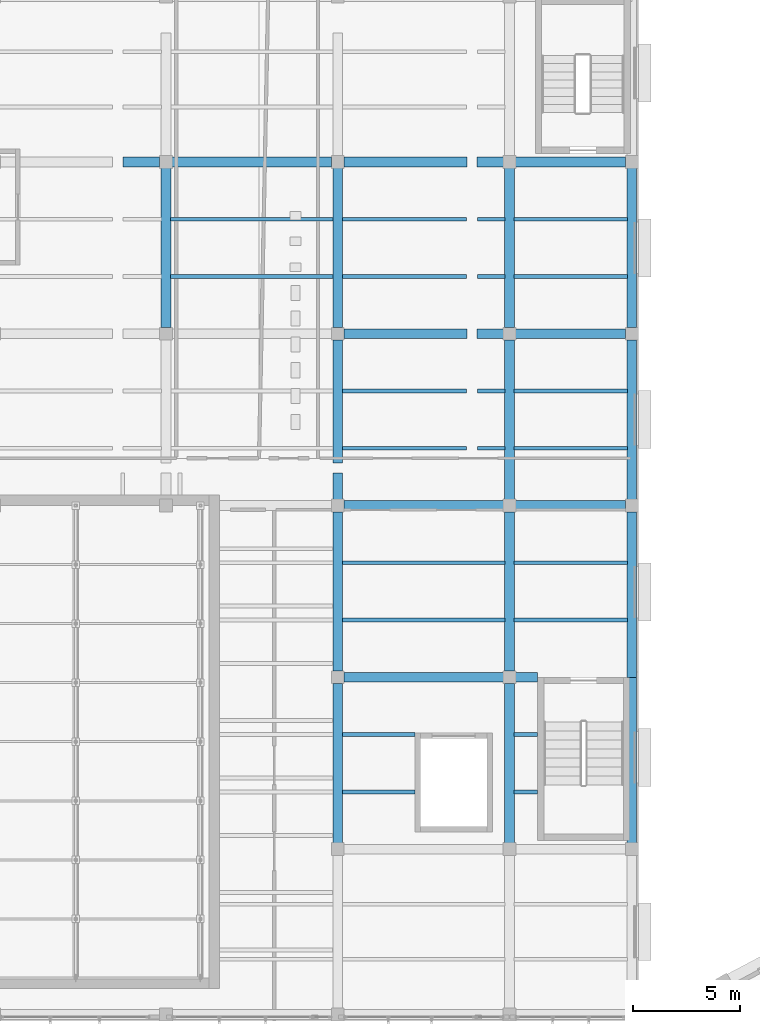
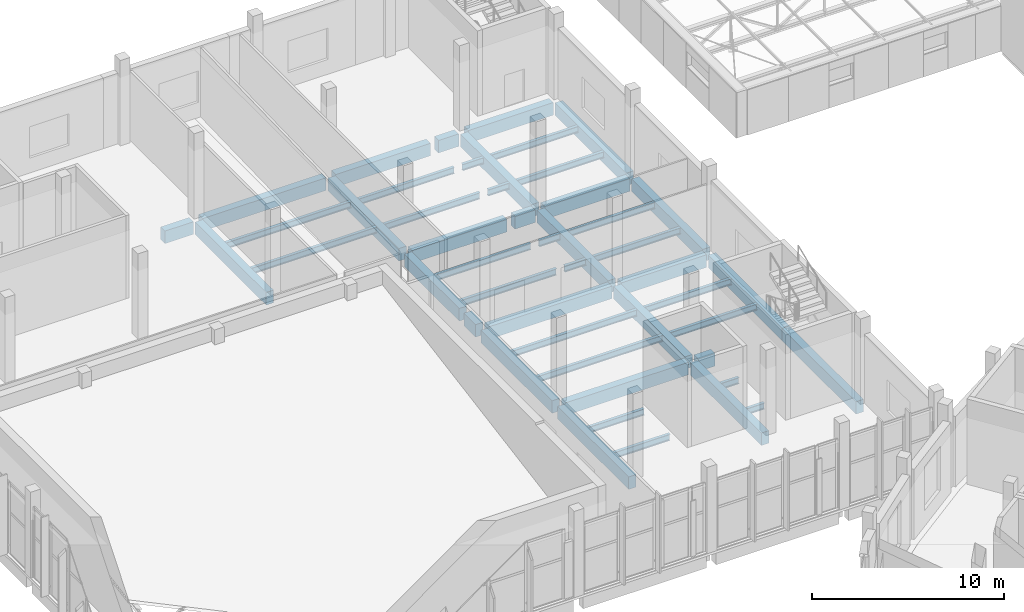
# One storey, part 24 of 132: 48 beams.
"""IFC4 building model written with IfcOpenShell, lengths in metres."""

from ifc_helpers import new_model, si_unit, direction, frame, origin, origin_2d, place, context, subcontext, project, spatial, rectangle, i_section, extrude, material, material_profile, profile_set, type_object, element, save


model = new_model("IFC4")

# Units and contexts
model_context = context("Model", 3, precision=1e-05, world=origin(), true_north=direction((0.0, 1.0)))
body_context = subcontext(model_context, "Body", "Model", "MODEL_VIEW")
ifc_project = project(units=[si_unit("LENGTHUNIT", "METRE"), si_unit("AREAUNIT", "SQUARE_METRE"), si_unit("VOLUMEUNIT", "CUBIC_METRE"), si_unit("PLANEANGLEUNIT", "RADIAN"), si_unit("MASSUNIT", "GRAM", prefix="KILO")], contexts=[model_context])

# Site, building, storey
site_placement = place(None, origin())
site = spatial("IfcSite", under=ifc_project, at=site_placement, CompositionType="ELEMENT")
building_placement = place(site_placement, origin())
building = spatial("IfcBuilding", under=site, at=building_placement, Name="Lunette Opera House", CompositionType="ELEMENT")
storey_placement = place(building_placement, frame((0.0, 0.0, 17.0)))
storey = spatial("IfcBuildingStorey", under=building, at=storey_placement, Name="L03", CompositionType="ELEMENT", Elevation=17.0)

# Beams
ifc_material_1 = material(Name="Concrete C35/45", Category="concrete")
ifc_material_profile_1 = material_profile(ifc_material_1, rectangle(XDim=0.449951171875, YDim=0.800048828125, at=origin_2d()), Name="RC BEAM 450X800")
ifc_profile_set_1 = profile_set([ifc_material_profile_1], Name="Concrete C35/45")
beam_type_1 = type_object("IfcBeamType", Name="RC BEAM 450X800", PredefinedType="BEAM", material=ifc_profile_set_1)
for number, where, z_axis, x_axis, name in (
    (1, (32.0, 96.2900390625, -0.550048828125), (0.0, 1.0, 0.0), (-1.0, 0.0, 0.0), "beam-RW-L03-L03-GY34"),
    (2, (40.0, 72.2900390625, -0.550048828125), (0.0, 1.0, 0.0), (-1.0, 0.0, 0.0), "beam-RW-L03-L03-GY41"),
    (3, (40.0, 80.2900390625, -0.550048828125), (0.0, 1.0, 0.0), (-1.0, 0.0, 0.0), "beam-RW-L03-L03-GY42"),
):
    element("IfcBeam", number, at=place(storey_placement, frame(where, z_axis=z_axis, x_axis=x_axis)), inside=storey, type_object=beam_type_1, Name=name, PredefinedType="BEAM", context=body_context, shape_type="SweptSolid", body=[
        extrude(rectangle(XDim=0.449951171875, YDim=0.800048828125, at=origin_2d()), origin(), (0.0, 0.0, 1.0), 7.419921875),
    ])
beam_1_placement = place(storey_placement, frame((40.0, 88.2900390625, -0.550048828125), z_axis=(0.0, 1.0, 0.0), x_axis=(-1.0, 0.0, 0.0)))
element("IfcBeam", 4, at=beam_1_placement, inside=storey, type_object=beam_type_1, Name="beam-RW-L03-L03-GY43", PredefinedType="BEAM", context=body_context, shape_type="SweptSolid", body=[
    extrude(rectangle(XDim=0.449951171875, YDim=0.800048828125, at=origin_2d()), origin(), (0.0, 0.0, 1.0), 1.219970703125),
])
beam_2_placement = place(storey_placement, frame((40.0, 89.989990234375, -0.550048828125), z_axis=(0.0, 1.0, 0.0), x_axis=(-1.0, 0.0, 0.0)))
element("IfcBeam", 5, at=beam_2_placement, inside=storey, type_object=beam_type_1, Name="beam-RW-L03-L03-GY43-1", PredefinedType="BEAM", context=body_context, shape_type="SweptSolid", body=[
    extrude(rectangle(XDim=0.449951171875, YDim=0.800048828125, at=origin_2d()), origin(), (0.0, 0.0, 1.0), 5.719970703125),
])
for number, where, z_axis, x_axis, name in (
    (6, (40.0, 96.2900390625, -0.550048828125), (0.0, 1.0, 0.0), (-1.0, 0.0, 0.0), "beam-RW-L03-L03-GY44"),
    (7, (48.0, 72.2900390625, -0.550048828125), (0.0, 1.0, 0.0), (-1.0, 0.0, 0.0), "beam-RW-L03-L03-GY51"),
    (8, (48.0, 80.2900390625, -0.550048828125), (0.0, 1.0, 0.0), (-1.0, 0.0, 0.0), "beam-RW-L03-L03-GY52"),
    (9, (48.0, 88.2900390625, -0.550048828125), (0.0, 1.0, 0.0), (-1.0, 0.0, 0.0), "beam-RW-L03-L03-GY53"),
    (10, (48.0, 96.2900390625, -0.550048828125), (0.0, 1.0, 0.0), (-1.0, 0.0, 0.0), "beam-RW-L03-L03-GY54"),
):
    element("IfcBeam", number, at=place(storey_placement, frame(where, z_axis=z_axis, x_axis=x_axis)), inside=storey, type_object=beam_type_1, Name=name, PredefinedType="BEAM", context=body_context, shape_type="SweptSolid", body=[
        extrude(rectangle(XDim=0.449951171875, YDim=0.800048828125, at=origin_2d()), origin(), (0.0, 0.0, 1.0), 7.419921875),
    ])
for number, where, z_axis, x_axis, name in (
    (11, (53.699951171875, 72.2900390625, -0.550048828125), (0.0, 1.0, 0.0), (-1.0, 0.0, 0.0), "beam-RW-L03-L03-GY61"),
    (12, (53.699951171875, 80.0, -0.550048828125), (0.0, 1.0, 0.0), (-1.0, 0.0, 0.0), "beam-RW-L03-L03-GY62"),
):
    element("IfcBeam", number, at=place(storey_placement, frame(where, z_axis=z_axis, x_axis=x_axis)), inside=storey, type_object=beam_type_1, Name=name, PredefinedType="BEAM", context=body_context, shape_type="SweptSolid", body=[
        extrude(rectangle(XDim=0.449951171875, YDim=0.800048828125, at=origin_2d()), origin(), (0.0, 0.0, 1.0), 7.7099609375),
    ])
for number, where, z_axis, x_axis, name in (
    (13, (53.699951171875, 88.2900390625, -0.550048828125), (0.0, 1.0, 0.0), (-1.0, 0.0, 0.0), "beam-RW-L03-L03-GY63"),
    (14, (53.699951171875, 96.2900390625, -0.550048828125), (0.0, 1.0, 0.0), (-1.0, 0.0, 0.0), "beam-RW-L03-L03-GY64"),
    (15, (40.2900390625, 80.0, -0.550048828125), (1.0, 0.0, 0.0), (0.0, 1.0, 0.0), "beam-RW-L03-L03-GX42"),
):
    element("IfcBeam", number, at=place(storey_placement, frame(where, z_axis=z_axis, x_axis=x_axis)), inside=storey, type_object=beam_type_1, Name=name, PredefinedType="BEAM", context=body_context, shape_type="SweptSolid", body=[
        extrude(rectangle(XDim=0.449951171875, YDim=0.800048828125, at=origin_2d()), origin(), (0.0, 0.0, 1.0), 7.419921875),
    ])
beam_3_placement = place(storey_placement, frame((48.2900390625, 80.0, -0.550048828125), z_axis=(1.0, 0.0, 0.0), x_axis=(0.0, 1.0, 0.0)))
element("IfcBeam", 16, at=beam_3_placement, inside=storey, type_object=beam_type_1, Name="beam-RW-L03-L03-GX52", PredefinedType="BEAM", context=body_context, shape_type="SweptSolid", body=[
    extrude(rectangle(XDim=0.449951171875, YDim=0.800048828125, at=origin_2d()), origin(), (0.0, 0.0, 1.0), 1.02001953125),
])
beam_4_placement = place(storey_placement, frame((40.2900390625, 88.0, -0.550048828125), z_axis=(1.0, 0.0, 0.0), x_axis=(0.0, 1.0, 0.0)))
element("IfcBeam", 17, at=beam_4_placement, inside=storey, type_object=beam_type_1, Name="beam-RW-L03-L03-GX43", PredefinedType="BEAM", context=body_context, shape_type="SweptSolid", body=[
    extrude(rectangle(XDim=0.449951171875, YDim=0.800048828125, at=origin_2d()), origin(), (0.0, 0.0, 1.0), 7.419921875),
])
beam_5_placement = place(storey_placement, frame((48.2900390625, 88.0, -0.550048828125), z_axis=(1.0, 0.0, 0.0), x_axis=(0.0, 1.0, 0.0)))
element("IfcBeam", 18, at=beam_5_placement, inside=storey, type_object=beam_type_1, Name="beam-RW-L03-L03-GX53", PredefinedType="BEAM", context=body_context, shape_type="SweptSolid", body=[
    extrude(rectangle(XDim=0.449951171875, YDim=0.800048828125, at=origin_2d()), origin(), (0.0, 0.0, 1.0), 5.119873046875),
])
beam_6_placement = place(storey_placement, frame((40.2900390625, 96.0, -0.550048828125), z_axis=(1.0, 0.0, 0.0), x_axis=(0.0, 1.0, 0.0)))
element("IfcBeam", 19, at=beam_6_placement, inside=storey, type_object=beam_type_1, Name="beam-RW-L03-L03-GX44", PredefinedType="BEAM", context=body_context, shape_type="SweptSolid", body=[
    extrude(rectangle(XDim=0.449951171875, YDim=0.800048828125, at=origin_2d()), origin(), (0.0, 0.0, 1.0), 5.719970703125),
])
beam_7_placement = place(storey_placement, frame((46.489990234375, 96.0, -0.550048828125), z_axis=(1.0, 0.0, 0.0), x_axis=(0.0, 1.0, 0.0)))
element("IfcBeam", 20, at=beam_7_placement, inside=storey, type_object=beam_type_1, Name="beam-RW-L03-L03-GX44-1", PredefinedType="BEAM", context=body_context, shape_type="SweptSolid", body=[
    extrude(rectangle(XDim=0.449951171875, YDim=0.800048828125, at=origin_2d()), origin(), (0.0, 0.0, 1.0), 1.219970703125),
])
beam_8_placement = place(storey_placement, frame((48.2900390625, 96.0, -0.550048828125), z_axis=(1.0, 0.0, 0.0), x_axis=(0.0, 1.0, 0.0)))
element("IfcBeam", 21, at=beam_8_placement, inside=storey, type_object=beam_type_1, Name="beam-RW-L03-L03-GX54", PredefinedType="BEAM", context=body_context, shape_type="SweptSolid", body=[
    extrude(rectangle(XDim=0.449951171875, YDim=0.800048828125, at=origin_2d()), origin(), (0.0, 0.0, 1.0), 5.119873046875),
])
beam_9_placement = place(storey_placement, frame((29.989990234375, 104.0, -0.550048828125), z_axis=(1.0, 0.0, 0.0), x_axis=(0.0, 1.0, 0.0)))
element("IfcBeam", 22, at=beam_9_placement, inside=storey, type_object=beam_type_1, Name="beam-RW-L03-L03-GX25-1", PredefinedType="BEAM", context=body_context, shape_type="SweptSolid", body=[
    extrude(rectangle(XDim=0.449951171875, YDim=0.800048828125, at=origin_2d()), origin(), (0.0, 0.0, 1.0), 1.719970703125),
])
beam_10_placement = place(storey_placement, frame((32.2900390625, 104.0, -0.550048828125), z_axis=(1.0, 0.0, 0.0), x_axis=(0.0, 1.0, 0.0)))
element("IfcBeam", 23, at=beam_10_placement, inside=storey, type_object=beam_type_1, Name="beam-RW-L03-L03-GX35", PredefinedType="BEAM", context=body_context, shape_type="SweptSolid", body=[
    extrude(rectangle(XDim=0.449951171875, YDim=0.800048828125, at=origin_2d()), origin(), (0.0, 0.0, 1.0), 7.419921875),
])
beam_11_placement = place(storey_placement, frame((40.2900390625, 104.0, -0.550048828125), z_axis=(1.0, 0.0, 0.0), x_axis=(0.0, 1.0, 0.0)))
element("IfcBeam", 24, at=beam_11_placement, inside=storey, type_object=beam_type_1, Name="beam-RW-L03-L03-GX45", PredefinedType="BEAM", context=body_context, shape_type="SweptSolid", body=[
    extrude(rectangle(XDim=0.449951171875, YDim=0.800048828125, at=origin_2d()), origin(), (0.0, 0.0, 1.0), 5.719970703125),
])
beam_12_placement = place(storey_placement, frame((46.489990234375, 104.0, -0.550048828125), z_axis=(1.0, 0.0, 0.0), x_axis=(0.0, 1.0, 0.0)))
element("IfcBeam", 25, at=beam_12_placement, inside=storey, type_object=beam_type_1, Name="beam-RW-L03-L03-GX45-1", PredefinedType="BEAM", context=body_context, shape_type="SweptSolid", body=[
    extrude(rectangle(XDim=0.449951171875, YDim=0.800048828125, at=origin_2d()), origin(), (0.0, 0.0, 1.0), 1.219970703125),
])
beam_13_placement = place(storey_placement, frame((48.2900390625, 104.0, -0.550048828125), z_axis=(1.0, 0.0, 0.0), x_axis=(0.0, 1.0, 0.0)))
element("IfcBeam", 26, at=beam_13_placement, inside=storey, type_object=beam_type_1, Name="beam-RW-L03-L03-GX55", PredefinedType="BEAM", context=body_context, shape_type="SweptSolid", body=[
    extrude(rectangle(XDim=0.449951171875, YDim=0.800048828125, at=origin_2d()), origin(), (0.0, 0.0, 1.0), 5.119873046875),
])
ifc_material_2 = material(Name="Steel S355", Category="steel")
ifc_material_profile_2 = material_profile(ifc_material_2, i_section(OverallWidth=0.179931640625, OverallDepth=0.39990234375, WebThickness=0.008544921875, FlangeThickness=0.013427734375, FilletRadius=0.02099609375, at=origin_2d()), Name="IPE 400")
ifc_profile_set_2 = profile_set([ifc_material_profile_2], Name="Steel S355")
beam_type_2 = type_object("IfcBeamType", Name="STEEL BEAM IPE 400", PredefinedType="BEAM", material=ifc_profile_set_2)
for number, where, z_axis, x_axis, name in (
    (27, (32.215087890625, 98.6669921875, -0.35009765625), (1.0, 0.0, 0.0), (0.0, 1.0, 0.0), "beam-RW-L03-L03-SX341"),
    (28, (32.215087890625, 101.3330078125, -0.35009765625), (1.0, 0.0, 0.0), (0.0, 1.0, 0.0), "beam-RW-L03-L03-SX342"),
):
    element("IfcBeam", number, at=place(storey_placement, frame(where, z_axis=z_axis, x_axis=x_axis)), inside=storey, type_object=beam_type_2, Name=name, PredefinedType="BEAM", context=body_context, shape_type="SweptSolid", body=[
        extrude(i_section(OverallWidth=0.179931640625, OverallDepth=0.39990234375, WebThickness=0.008544921875, FlangeThickness=0.013427734375, FilletRadius=0.02099609375, at=origin_2d()), origin(), (0.0, 0.0, 1.0), 7.56982421875),
    ])
for number, where, z_axis, x_axis, name in (
    (29, (40.215087890625, 74.6669921875, -0.35009765625), (1.0, 0.0, 0.0), (0.0, 1.0, 0.0), "beam-RW-L03-L03-SX411"),
    (30, (40.215087890625, 77.3330078125, -0.35009765625), (1.0, 0.0, 0.0), (0.0, 1.0, 0.0), "beam-RW-L03-L03-SX412"),
):
    element("IfcBeam", number, at=place(storey_placement, frame(where, z_axis=z_axis, x_axis=x_axis)), inside=storey, type_object=beam_type_2, Name=name, PredefinedType="BEAM", context=body_context, shape_type="SweptSolid", body=[
        extrude(i_section(OverallWidth=0.179931640625, OverallDepth=0.39990234375, WebThickness=0.008544921875, FlangeThickness=0.013427734375, FilletRadius=0.02099609375, at=origin_2d()), origin(), (0.0, 0.0, 1.0), 3.385009765625),
    ])
for number, where, z_axis, x_axis, name in (
    (31, (40.215087890625, 82.6669921875, -0.35009765625), (1.0, 0.0, 0.0), (0.0, 1.0, 0.0), "beam-RW-L03-L03-SX421"),
    (32, (40.215087890625, 85.3330078125, -0.35009765625), (1.0, 0.0, 0.0), (0.0, 1.0, 0.0), "beam-RW-L03-L03-SX422"),
):
    element("IfcBeam", number, at=place(storey_placement, frame(where, z_axis=z_axis, x_axis=x_axis)), inside=storey, type_object=beam_type_2, Name=name, PredefinedType="BEAM", context=body_context, shape_type="SweptSolid", body=[
        extrude(i_section(OverallWidth=0.179931640625, OverallDepth=0.39990234375, WebThickness=0.008544921875, FlangeThickness=0.013427734375, FilletRadius=0.02099609375, at=origin_2d()), origin(), (0.0, 0.0, 1.0), 7.56982421875),
    ])
beam_14_placement = place(storey_placement, frame((40.215087890625, 90.6669921875, -0.35009765625), z_axis=(1.0, 0.0, 0.0), x_axis=(0.0, 1.0, 0.0)))
element("IfcBeam", 33, at=beam_14_placement, inside=storey, type_object=beam_type_2, Name="beam-RW-L03-L03-SX431", PredefinedType="BEAM", context=body_context, shape_type="SweptSolid", body=[
    extrude(i_section(OverallWidth=0.179931640625, OverallDepth=0.39990234375, WebThickness=0.008544921875, FlangeThickness=0.013427734375, FilletRadius=0.02099609375, at=origin_2d()), origin(), (0.0, 0.0, 1.0), 5.784912109375),
])
beam_15_placement = place(storey_placement, frame((46.5, 90.6669921875, -0.35009765625), z_axis=(1.0, 0.0, 0.0), x_axis=(0.0, 1.0, 0.0)))
element("IfcBeam", 34, at=beam_15_placement, inside=storey, type_object=beam_type_2, Name="beam-RW-L03-L03-SX431-01", PredefinedType="BEAM", context=body_context, shape_type="SweptSolid", body=[
    extrude(i_section(OverallWidth=0.179931640625, OverallDepth=0.39990234375, WebThickness=0.008544921875, FlangeThickness=0.013427734375, FilletRadius=0.02099609375, at=origin_2d()), origin(), (0.0, 0.0, 1.0), 1.284912109375),
])
beam_16_placement = place(storey_placement, frame((40.215087890625, 93.3330078125, -0.35009765625), z_axis=(1.0, 0.0, 0.0), x_axis=(0.0, 1.0, 0.0)))
element("IfcBeam", 35, at=beam_16_placement, inside=storey, type_object=beam_type_2, Name="beam-RW-L03-L03-SX432", PredefinedType="BEAM", context=body_context, shape_type="SweptSolid", body=[
    extrude(i_section(OverallWidth=0.179931640625, OverallDepth=0.39990234375, WebThickness=0.008544921875, FlangeThickness=0.013427734375, FilletRadius=0.02099609375, at=origin_2d()), origin(), (0.0, 0.0, 1.0), 5.784912109375),
])
beam_17_placement = place(storey_placement, frame((46.5, 93.3330078125, -0.35009765625), z_axis=(1.0, 0.0, 0.0), x_axis=(0.0, 1.0, 0.0)))
element("IfcBeam", 36, at=beam_17_placement, inside=storey, type_object=beam_type_2, Name="beam-RW-L03-L03-SX432-01", PredefinedType="BEAM", context=body_context, shape_type="SweptSolid", body=[
    extrude(i_section(OverallWidth=0.179931640625, OverallDepth=0.39990234375, WebThickness=0.008544921875, FlangeThickness=0.013427734375, FilletRadius=0.02099609375, at=origin_2d()), origin(), (0.0, 0.0, 1.0), 1.284912109375),
])
beam_18_placement = place(storey_placement, frame((40.215087890625, 98.6669921875, -0.35009765625), z_axis=(1.0, 0.0, 0.0), x_axis=(0.0, 1.0, 0.0)))
element("IfcBeam", 37, at=beam_18_placement, inside=storey, type_object=beam_type_2, Name="beam-RW-L03-L03-SX441", PredefinedType="BEAM", context=body_context, shape_type="SweptSolid", body=[
    extrude(i_section(OverallWidth=0.179931640625, OverallDepth=0.39990234375, WebThickness=0.008544921875, FlangeThickness=0.013427734375, FilletRadius=0.02099609375, at=origin_2d()), origin(), (0.0, 0.0, 1.0), 5.784912109375),
])
beam_19_placement = place(storey_placement, frame((46.5, 98.6669921875, -0.35009765625), z_axis=(1.0, 0.0, 0.0), x_axis=(0.0, 1.0, 0.0)))
element("IfcBeam", 38, at=beam_19_placement, inside=storey, type_object=beam_type_2, Name="beam-RW-L03-L03-SX441-01", PredefinedType="BEAM", context=body_context, shape_type="SweptSolid", body=[
    extrude(i_section(OverallWidth=0.179931640625, OverallDepth=0.39990234375, WebThickness=0.008544921875, FlangeThickness=0.013427734375, FilletRadius=0.02099609375, at=origin_2d()), origin(), (0.0, 0.0, 1.0), 1.284912109375),
])
beam_20_placement = place(storey_placement, frame((40.215087890625, 101.3330078125, -0.35009765625), z_axis=(1.0, 0.0, 0.0), x_axis=(0.0, 1.0, 0.0)))
element("IfcBeam", 39, at=beam_20_placement, inside=storey, type_object=beam_type_2, Name="beam-RW-L03-L03-SX442", PredefinedType="BEAM", context=body_context, shape_type="SweptSolid", body=[
    extrude(i_section(OverallWidth=0.179931640625, OverallDepth=0.39990234375, WebThickness=0.008544921875, FlangeThickness=0.013427734375, FilletRadius=0.02099609375, at=origin_2d()), origin(), (0.0, 0.0, 1.0), 5.784912109375),
])
beam_21_placement = place(storey_placement, frame((46.5, 101.3330078125, -0.35009765625), z_axis=(1.0, 0.0, 0.0), x_axis=(0.0, 1.0, 0.0)))
element("IfcBeam", 40, at=beam_21_placement, inside=storey, type_object=beam_type_2, Name="beam-RW-L03-L03-SX442-01", PredefinedType="BEAM", context=body_context, shape_type="SweptSolid", body=[
    extrude(i_section(OverallWidth=0.179931640625, OverallDepth=0.39990234375, WebThickness=0.008544921875, FlangeThickness=0.013427734375, FilletRadius=0.02099609375, at=origin_2d()), origin(), (0.0, 0.0, 1.0), 1.284912109375),
])
for number, where, z_axis, x_axis, name in (
    (41, (48.215087890625, 74.6669921875, -0.35009765625), (1.0, 0.0, 0.0), (0.0, 1.0, 0.0), "beam-RW-L03-L03-SX511"),
    (42, (48.215087890625, 77.3330078125, -0.35009765625), (1.0, 0.0, 0.0), (0.0, 1.0, 0.0), "beam-RW-L03-L03-SX512"),
):
    element("IfcBeam", number, at=place(storey_placement, frame(where, z_axis=z_axis, x_axis=x_axis)), inside=storey, type_object=beam_type_2, Name=name, PredefinedType="BEAM", context=body_context, shape_type="SweptSolid", body=[
        extrude(i_section(OverallWidth=0.179931640625, OverallDepth=0.39990234375, WebThickness=0.008544921875, FlangeThickness=0.013427734375, FilletRadius=0.02099609375, at=origin_2d()), origin(), (0.0, 0.0, 1.0), 1.0849609375),
    ])
for number, where, z_axis, x_axis, name in (
    (43, (48.215087890625, 82.6669921875, -0.35009765625), (1.0, 0.0, 0.0), (0.0, 1.0, 0.0), "beam-RW-L03-L03-SX521"),
    (44, (48.215087890625, 85.3330078125, -0.35009765625), (1.0, 0.0, 0.0), (0.0, 1.0, 0.0), "beam-RW-L03-L03-SX522"),
    (45, (48.215087890625, 90.6669921875, -0.35009765625), (1.0, 0.0, 0.0), (0.0, 1.0, 0.0), "beam-RW-L03-L03-SX531"),
    (46, (48.215087890625, 93.3330078125, -0.35009765625), (1.0, 0.0, 0.0), (0.0, 1.0, 0.0), "beam-RW-L03-L03-SX532"),
    (47, (48.215087890625, 98.6669921875, -0.35009765625), (1.0, 0.0, 0.0), (0.0, 1.0, 0.0), "beam-RW-L03-L03-SX541"),
    (48, (48.215087890625, 101.3330078125, -0.35009765625), (1.0, 0.0, 0.0), (0.0, 1.0, 0.0), "beam-RW-L03-L03-SX542"),
):
    element("IfcBeam", number, at=place(storey_placement, frame(where, z_axis=z_axis, x_axis=x_axis)), inside=storey, type_object=beam_type_2, Name=name, PredefinedType="BEAM", context=body_context, shape_type="SweptSolid", body=[
        extrude(i_section(OverallWidth=0.179931640625, OverallDepth=0.39990234375, WebThickness=0.008544921875, FlangeThickness=0.013427734375, FilletRadius=0.02099609375, at=origin_2d()), origin(), (0.0, 0.0, 1.0), 5.27001953125),
    ])

save(model, "model.ifc")
